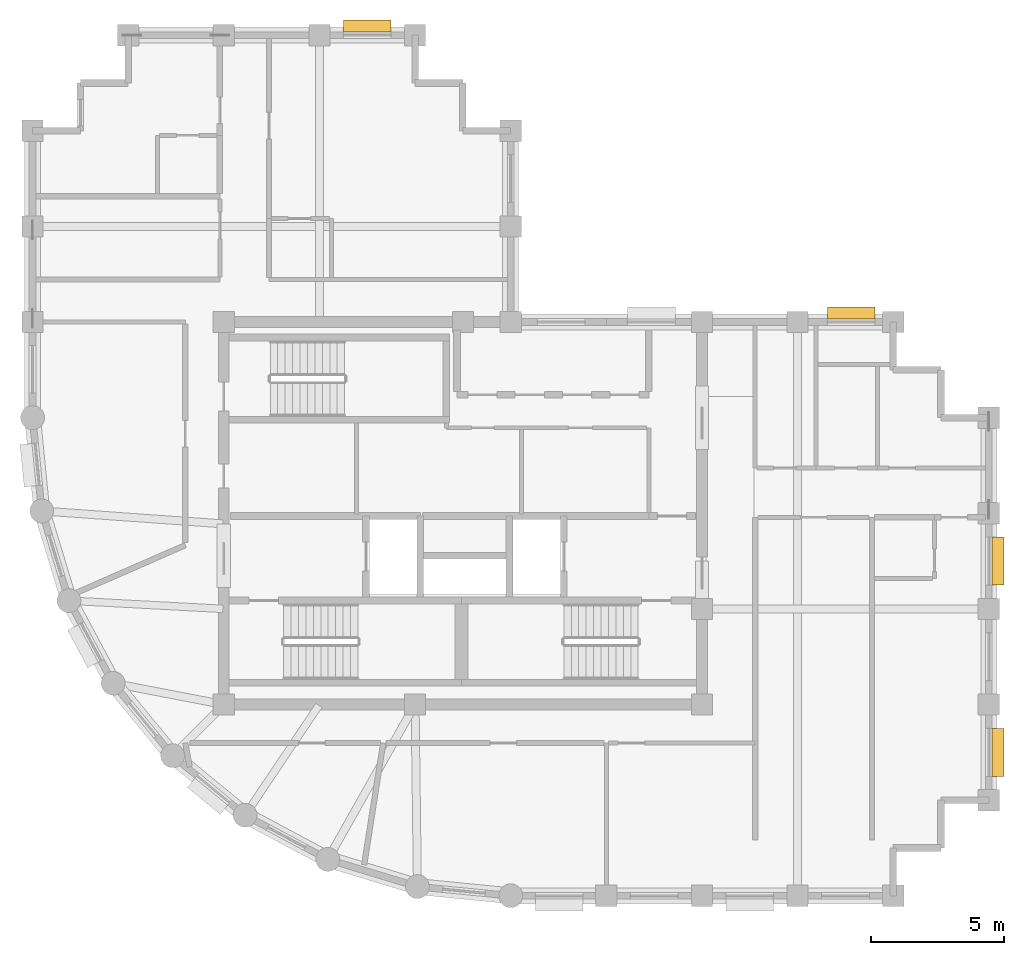
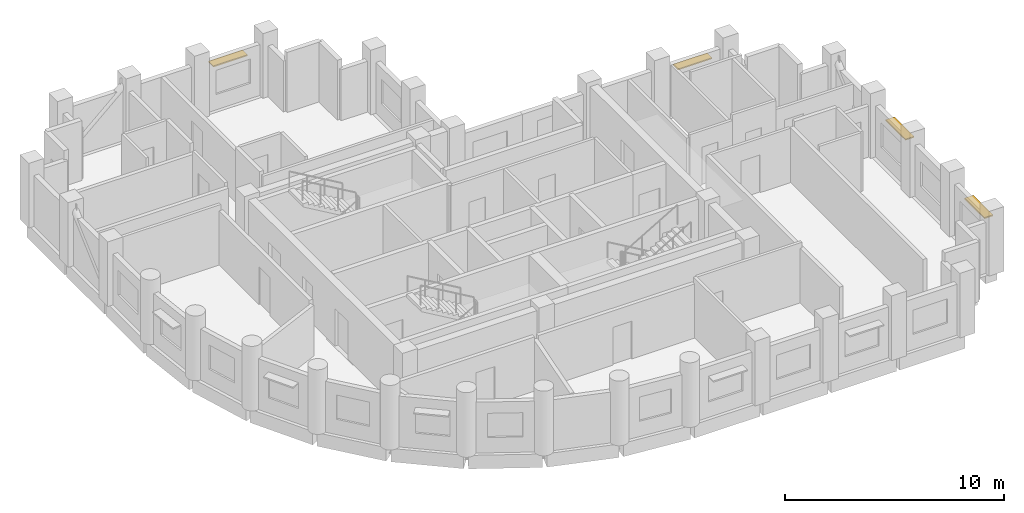
# One storey, part 7 of 7: 4 shading devices.
"""IFC4 building model written with IfcOpenShell, lengths in metres."""

from ifc_helpers import new_model, si_unit, direction, frame, origin, origin_2d, place, context, subcontext, project, spatial, rectangle, extrude, material, layer, layer_set, type_object, element, save


model = new_model("IFC4")

# Units and contexts
model_context = context("Model", 3, precision=1e-05, world=origin(), true_north=direction((0.0, 1.0)))
body_context = subcontext(model_context, "Body", "Model", "MODEL_VIEW")
ifc_project = project(units=[si_unit("LENGTHUNIT", "METRE"), si_unit("AREAUNIT", "SQUARE_METRE"), si_unit("VOLUMEUNIT", "CUBIC_METRE"), si_unit("PLANEANGLEUNIT", "RADIAN"), si_unit("MASSUNIT", "GRAM", prefix="KILO")], contexts=[model_context])

# Site, building, storey
site_placement = place(None, origin())
site = spatial("IfcSite", under=ifc_project, at=site_placement, CompositionType="ELEMENT")
building_placement = place(site_placement, origin())
building = spatial("IfcBuilding", under=site, at=building_placement, Name="Solnavia Interchange Tower", CompositionType="ELEMENT")
storey_placement = place(building_placement, frame((0.0, 0.0, 242.60009765625)))
storey = spatial("IfcBuildingStorey", under=building, at=storey_placement, Name="L61", CompositionType="ELEMENT", Elevation=242.60009765625)

# Shading devices
ifc_material = material(Name="Anodised Aluminium Sunshade", Category="aluminium")
ifc_layer = layer(ifc_material, 0.070068359375)
ifc_layer_set = layer_set([ifc_layer], Name="Anodised Aluminium Sunshade")
shading_device_type = type_object("IfcShadingDeviceType", Name="Sunshade-Band-450", PredefinedType="JALOUSIE", material=ifc_layer_set)
for number, where, z_axis, x_axis, name in (
    (1, (43.544921875, 9.0, 2.22509765625), (0.0, 0.0, 1.0), (0.0, -1.0, 0.0), "SHD-L61-09 Horizontal sunshade band"),
    (2, (43.544921875, 16.199951171875, 2.22509765625), (0.0, 0.0, 1.0), (0.0, -1.0, 0.0), "SHD-L61-11 Horizontal sunshade band"),
    (3, (38.02001953125, 25.544921875, 2.22509765625), (0.0, 0.0, 1.0), (1.0, 0.0, 0.0), "SHD-L61-17 Horizontal sunshade band"),
    (4, (19.800048828125, 36.344970703125, 2.22509765625), (0.0, 0.0, 1.0), (1.0, 0.0, 0.0), "SHD-L61-27 Horizontal sunshade band"),
):
    element("IfcShadingDevice", number, at=place(storey_placement, frame(where, z_axis=z_axis, x_axis=x_axis)), inside=storey, type_object=shading_device_type, Name=name, PredefinedType="JALOUSIE", context=body_context, shape_type="SweptSolid", body=[
        extrude(rectangle(XDim=1.800048828125, YDim=0.449951171875, at=origin_2d()), origin(), (0.0, 0.0, 1.0), 0.070068359375),
    ])

save(model, "model.ifc")
